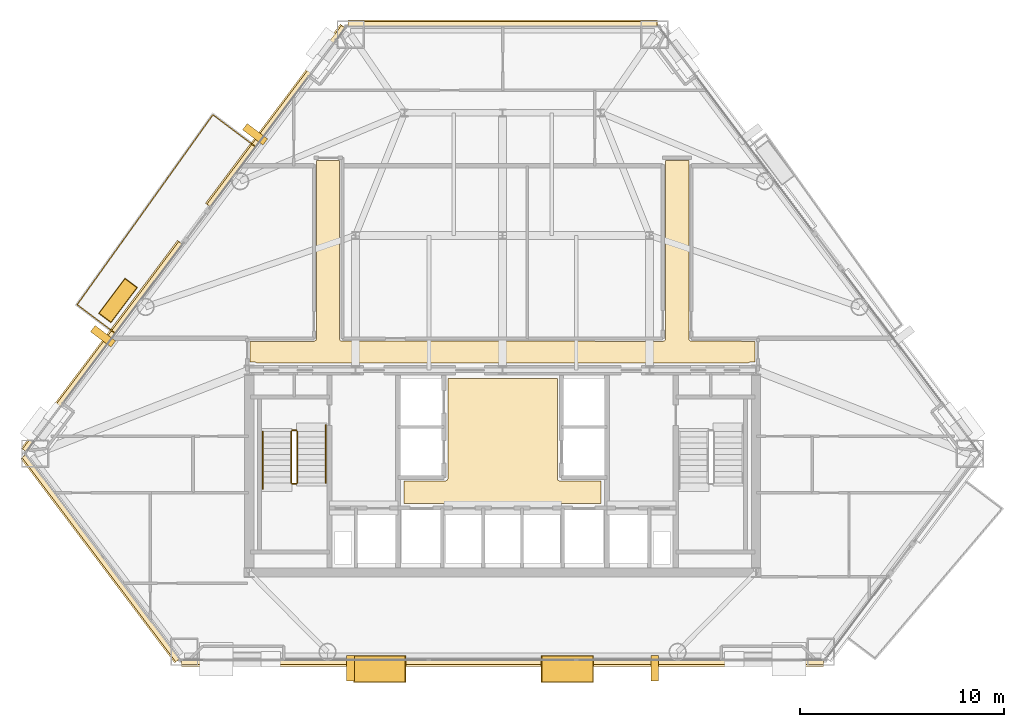
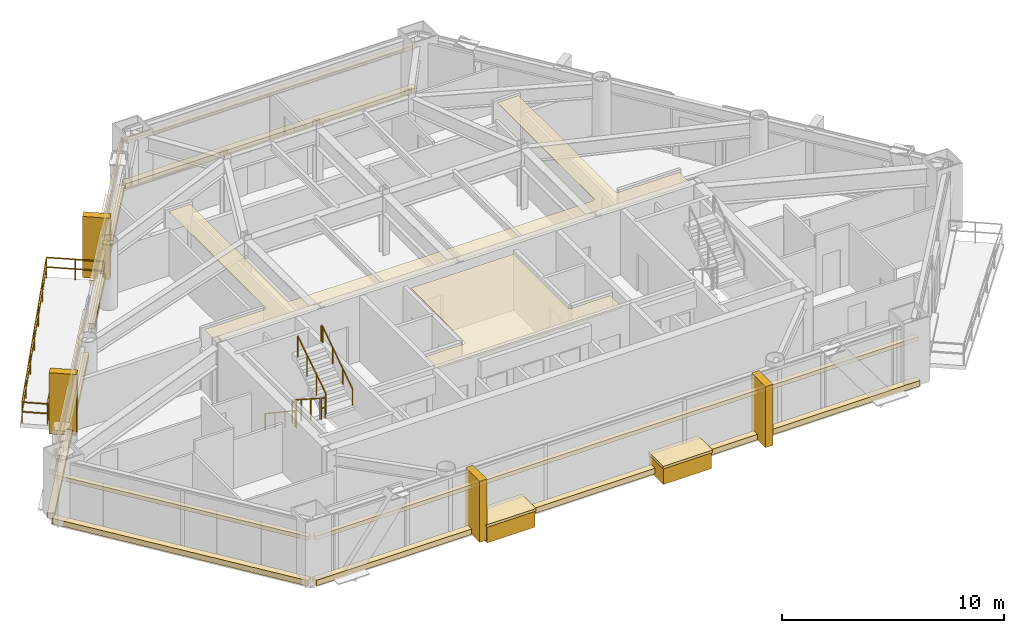
# One storey, part 13 of 14: 22 coverings, 7 railings.
"""IFC4 building model written with IfcOpenShell, lengths in metres."""

from ifc_helpers import new_model, si_unit, direction, frame, origin, origin_2d, place, context, subcontext, project, spatial, polyline, rectangle, outline, extrude, material, layer, layer_set, type_object, element, save


model = new_model("IFC4")

# Units and contexts
model_context = context("Model", 3, precision=1e-05, world=origin(), true_north=direction((0.0, 1.0)))
body_context = subcontext(model_context, "Body", "Model", "MODEL_VIEW")
ifc_project = project(units=[si_unit("LENGTHUNIT", "METRE"), si_unit("AREAUNIT", "SQUARE_METRE"), si_unit("VOLUMEUNIT", "CUBIC_METRE"), si_unit("PLANEANGLEUNIT", "RADIAN"), si_unit("MASSUNIT", "GRAM", prefix="KILO")], contexts=[model_context])

# Site, building, storey
site_placement = place(None, origin())
site = spatial("IfcSite", under=ifc_project, at=site_placement, CompositionType="ELEMENT")
building_placement = place(site_placement, origin())
building = spatial("IfcBuilding", under=site, at=building_placement, Name="Talgorran Terracotta Tower", CompositionType="ELEMENT")
storey_placement = place(building_placement, frame((0.0, 0.0, 56.699951171875)))
storey = spatial("IfcBuildingStorey", under=building, at=storey_placement, Name="L14", CompositionType="ELEMENT", Elevation=56.699951171875)

# Coverings
ifc_material_1 = material(Name="Kiln-Fired Terracotta Ochre Ceramic", Category="masonry")
ifc_layer_1 = layer(ifc_material_1, 0.179931640625, Name="COV_BAGUETTE_TERRACOTTA_SCREEN")
ifc_layer_set_1 = layer_set([ifc_layer_1], Name="Kiln-Fired Terracotta Ochre Ceramic")
covering_type_1 = type_object("IfcCoveringType", Name="COV_BAGUETTE_TERRACOTTA_SCREEN", PredefinedType="CLADDING", material=ifc_layer_set_1)
covering_1_placement = place(storey_placement, frame((-19.662353515625, -13.39892578125, 2.41015625), z_axis=(0.0, 0.0, 1.0), x_axis=(0.601438608227, -0.79891902001, 0.0)))
element("IfcCovering", 1, at=covering_1_placement, inside=storey, type_object=covering_type_1, Name="L14 Terracotta Baguette Solar Screen Assembly F0", PredefinedType="CLADDING", context=body_context, shape_type="SweptSolid", body=[
    extrude(rectangle(XDim=12.5078125, YDim=0.260009765625, at=origin_2d()), origin(), (0.0, 0.0, 1.0), 0.219970703125),
])
covering_2_placement = place(storey_placement, frame((0.0, -18.4912109375, 2.41015625), z_axis=(0.0, 0.0, 1.0), x_axis=(1.0, 0.0, 0.0)))
element("IfcCovering", 2, at=covering_2_placement, inside=storey, type_object=covering_type_1, Name="L14 Terracotta Baguette Solar Screen Assembly F1", PredefinedType="CLADDING", context=body_context, shape_type="SweptSolid", body=[
    extrude(rectangle(XDim=31.418212890625, YDim=0.260009765625, at=origin_2d()), origin(), (0.0, 0.0, 1.0), 0.219970703125),
])
covering_3_placement = place(storey_placement, frame((0.0, 12.7333984375, 2.41015625), z_axis=(0.0, 0.0, 1.0), x_axis=(-1.0, 0.0, 0.0)))
element("IfcCovering", 3, at=covering_3_placement, inside=storey, type_object=covering_type_1, Name="L14 Terracotta Baguette Solar Screen Assembly F4", PredefinedType="CLADDING", context=body_context, shape_type="SweptSolid", body=[
    extrude(rectangle(XDim=15.134521484375, YDim=0.260009765625, at=origin_2d()), origin(), (0.0, 0.0, 1.0), 0.219970703125),
])
covering_4_placement = place(storey_placement, frame((-11.076904296875, 8.230224609375, 2.41015625), z_axis=(0.0, 0.0, 1.0), x_axis=(-0.601438608227, -0.79891902001, 0.0)))
element("IfcCovering", 4, at=covering_4_placement, inside=storey, type_object=covering_type_1, Name="L14 Terracotta Baguette Solar Screen Assembly F60", PredefinedType="CLADDING", context=body_context, shape_type="SweptSolid", body=[
    extrude(rectangle(XDim=10.952880859375, YDim=0.260009765625, at=origin_2d()), origin(), (0.0, 0.0, 1.0), 0.219970703125),
])
covering_5_placement = place(storey_placement, frame((-19.576904296875, -3.060546875, 2.41015625), z_axis=(0.0, 0.0, 1.0), x_axis=(-0.601438608227, -0.79891902001, 0.0)))
element("IfcCovering", 5, at=covering_5_placement, inside=storey, type_object=covering_type_1, Name="L14 Terracotta Baguette Solar Screen Assembly F61", PredefinedType="CLADDING", context=body_context, shape_type="SweptSolid", body=[
    extrude(rectangle(XDim=12.712158203125, YDim=0.260009765625, at=origin_2d()), origin(), (0.0, 0.0, 1.0), 0.219970703125),
])
ifc_material_2 = material(Name="Mineral Fibre Acoustic Tile")
ifc_layer_2 = layer(ifc_material_2, 0.02490234375, Name="COV_CEIL_ACOUSTIC")
ifc_layer_set_2 = layer_set([ifc_layer_2], Name="Mineral Fibre Acoustic Tile")
covering_type_2 = type_object("IfcCoveringType", Name="COV_CEIL_ACOUSTIC", PredefinedType="CEILING", material=ifc_layer_set_2)
covering_6_placement = place(storey_placement, frame((0.0, 0.0, 3.22998046875)))
element("IfcCovering", 6, at=covering_6_placement, inside=storey, type_object=covering_type_2, Name="CEIL-L14-2", PredefinedType="CEILING", context=body_context, shape_type="SweptSolid", body=[
    extrude(outline(polyline([(-12.364990234375, -2.784912109375), (-9.25, -2.784912109375), (-9.23828125, -2.784423828125), (-9.226806640625, -2.78271484375), (-9.21533203125, -2.77978515625), (-9.20703125, -2.77734375), (-9.196044921875, -2.7734375), (-9.185302734375, -2.768310546875), (-9.17529296875, -2.762451171875), (-9.165771484375, -2.75537109375), (-9.156982421875, -2.74755859375), (-9.149169921875, -2.73876953125), (-9.1435546875, -2.73193359375), (-9.136474609375, -2.722412109375), (-9.13037109375, -2.71240234375), (-9.125244140625, -2.70166015625), (-9.121337890625, -2.690673828125), (-9.118408203125, -2.67919921875), (-9.11669921875, -2.66748046875), (-9.1162109375, -2.65576171875), (-9.114990234375, 6.06494140625), (-7.985107421875, 6.06494140625), (-7.985107421875, -2.64990234375), (-7.984375, -2.66162109375), (-7.982666015625, -2.67333984375), (-7.97998046875, -2.6845703125), (-7.977294921875, -2.69287109375), (-7.973388671875, -2.7041015625), (-7.968505859375, -2.714599609375), (-7.96240234375, -2.724853515625), (-7.955322265625, -2.734375), (-7.947509765625, -2.742919921875), (-7.938720703125, -2.7509765625), (-7.931884765625, -2.756591796875), (-7.922607421875, -2.763671875), (-7.912353515625, -2.769775390625), (-7.901611328125, -2.774658203125), (-7.890625, -2.77880859375), (-7.879150390625, -2.781494140625), (-7.867431640625, -2.783203125), (-7.855712890625, -2.783935546875), (7.85009765625, -2.784912109375), (7.86181640625, -2.784423828125), (7.873291015625, -2.78271484375), (7.884521484375, -2.77978515625), (7.892822265625, -2.77734375), (7.904052734375, -2.7734375), (7.914794921875, -2.768310546875), (7.9248046875, -2.762451171875), (7.934326171875, -2.75537109375), (7.943115234375, -2.74755859375), (7.950927734375, -2.73876953125), (7.95654296875, -2.73193359375), (7.963623046875, -2.722412109375), (7.9697265625, -2.71240234375), (7.974609375, -2.70166015625), (7.978759765625, -2.690673828125), (7.981689453125, -2.67919921875), (7.9833984375, -2.66748046875), (7.98388671875, -2.65576171875), (7.985107421875, 6.06494140625), (9.114990234375, 6.06494140625), (9.114990234375, -2.64990234375), (9.115478515625, -2.66162109375), (9.1171875, -2.67333984375), (9.1201171875, -2.6845703125), (9.12255859375, -2.69287109375), (9.12646484375, -2.7041015625), (9.131591796875, -2.714599609375), (9.1376953125, -2.724853515625), (9.14453125, -2.734375), (9.152587890625, -2.742919921875), (9.1611328125, -2.7509765625), (9.16796875, -2.756591796875), (9.177490234375, -2.763671875), (9.1875, -2.769775390625), (9.1982421875, -2.774658203125), (9.20947265625, -2.77880859375), (9.220703125, -2.781494140625), (9.232421875, -2.783203125), (9.244384765625, -2.783935546875), (12.364990234375, -2.784912109375), (12.364990234375, -3.80908203125), (12.1201171875, -3.80908203125), (12.108154296875, -3.8095703125), (12.0966796875, -3.811279296875), (12.085205078125, -3.814208984375), (12.07421875, -3.818115234375), (12.0634765625, -3.8232421875), (12.05322265625, -3.8291015625), (12.0439453125, -3.836181640625), (12.03515625, -3.843994140625), (12.034423828125, -3.844970703125), (7.432861328125, -3.844970703125), (6.968017578125, -3.843017578125), (6.967529296875, -3.843017578125), (0.232666015625, -3.844970703125), (-0.23193359375, -3.843017578125), (-0.232421875, -3.843017578125), (-6.96728515625, -3.844970703125), (-7.431884765625, -3.843017578125), (-7.4326171875, -3.843017578125), (-12.034423828125, -3.844970703125), (-12.03515625, -3.843994140625), (-12.0439453125, -3.836181640625), (-12.05322265625, -3.8291015625), (-12.0634765625, -3.8232421875), (-12.07421875, -3.818115234375), (-12.085205078125, -3.814208984375), (-12.0966796875, -3.811279296875), (-12.108154296875, -3.8095703125), (-12.1201171875, -3.80908203125), (-12.364990234375, -3.80908203125), (-12.364990234375, -2.784912109375)])), origin(), (0.0, 0.0, 1.0), 0.02001953125),
])
ifc_material_3 = material(Name="Flush Moisture-Resistant Plaster")
ifc_layer_3 = layer(ifc_material_3, 0.01806640625, Name="COV_CEIL_PLASTER")
ifc_layer_set_3 = layer_set([ifc_layer_3], Name="Flush Moisture-Resistant Plaster")
covering_type_3 = type_object("IfcCoveringType", Name="COV_CEIL_PLASTER", PredefinedType="CEILING", material=ifc_layer_set_3)
covering_7_placement = place(storey_placement, frame((0.0, 0.0, 3.22998046875)))
element("IfcCovering", 7, at=covering_7_placement, inside=storey, type_object=covering_type_3, Name="CEIL-L14-1", PredefinedType="CEILING", context=body_context, shape_type="SweptSolid", body=[
    extrude(outline(polyline([(-4.830078125, -9.6201171875), (-2.800048828125, -9.6201171875), (-2.7880859375, -9.619384765625), (-2.776611328125, -9.61767578125), (-2.76513671875, -9.61474609375), (-2.754150390625, -9.61083984375), (-2.743408203125, -9.605712890625), (-2.7333984375, -9.599853515625), (-2.723876953125, -9.5927734375), (-2.715087890625, -9.5849609375), (-2.707275390625, -9.576171875), (-2.7001953125, -9.566650390625), (-2.694091796875, -9.556640625), (-2.689208984375, -9.5458984375), (-2.685302734375, -9.534912109375), (-2.682373046875, -9.5234375), (-2.6806640625, -9.51171875), (-2.679931640625, -9.5), (-2.679931640625, -4.6201171875), (2.679931640625, -4.6201171875), (2.679931640625, -9.5), (2.6806640625, -9.51171875), (2.682373046875, -9.5234375), (2.685302734375, -9.534912109375), (2.689208984375, -9.5458984375), (2.694091796875, -9.556640625), (2.7001953125, -9.566650390625), (2.707275390625, -9.576171875), (2.715087890625, -9.5849609375), (2.723876953125, -9.5927734375), (2.7333984375, -9.599853515625), (2.743408203125, -9.605712890625), (2.754150390625, -9.61083984375), (2.76513671875, -9.61474609375), (2.776611328125, -9.61767578125), (2.7880859375, -9.619384765625), (2.800048828125, -9.6201171875), (4.830078125, -9.6201171875), (4.830078125, -10.72998046875), (-4.830078125, -10.72998046875), (-4.830078125, -9.6201171875)])), origin(), (0.0, 0.0, 1.0), 0.02001953125),
])
ifc_material_4 = material(Name="Honed Limestone and Terracotta Planter", Category="masonry")
ifc_layer_4 = layer(ifc_material_4, 0.1201171875, Name="COV_PLANTER_BOX")
ifc_layer_set_4 = layer_set([ifc_layer_4], Name="Honed Limestone and Terracotta Planter")
covering_type_4 = type_object("IfcCoveringType", Name="COV_PLANTER_BOX", PredefinedType="CLADDING", material=ifc_layer_set_4)
for number, where, z_axis, x_axis, name in (
    (8, (3.167724609375, -18.8310546875, -0.179931640625), (0.0, 0.0, 1.0), (1.0, 0.0, 0.0), "L14 Staggered South Facade Planter Box 1"),
    (9, (-6.018798828125, -18.8310546875, -0.179931640625), (0.0, 0.0, 1.0), (1.0, 0.0, 0.0), "L14 Staggered South Facade Planter Box 2"),
):
    element("IfcCovering", number, at=place(storey_placement, frame(where, z_axis=z_axis, x_axis=x_axis)), inside=storey, type_object=covering_type_4, Name=name, PredefinedType="CLADDING", context=body_context, shape_type="SweptSolid", body=[
        extrude(rectangle(XDim=2.5, YDim=1.25, at=origin_2d()), origin(), (0.0, 0.0, 1.0), 0.919921875),
    ])
covering_8_placement = place(storey_placement, frame((-18.828369140625, -0.785888671875, -0.02001953125), z_axis=(0.0, 0.0, 1.0), x_axis=(-0.601438608227, -0.79891902001, 0.0)))
element("IfcCovering", 10, at=covering_8_placement, inside=storey, type_object=covering_type_4, Name="L14 Staggered Balcony Planter Box BAL-NW", PredefinedType="CLADDING", context=body_context, shape_type="SweptSolid", body=[
    extrude(rectangle(XDim=2.10009765625, YDim=0.719970703125, at=origin_2d()), origin(), (0.0, 0.0, 1.0), 0.860107421875),
])
ifc_material_5 = material(Name="Kiln-Fired Terracotta Planter Rim", Category="masonry")
ifc_layer_5 = layer(ifc_material_5, 0.10009765625, Name="COV_PLANTER_RIM")
ifc_layer_set_5 = layer_set([ifc_layer_5], Name="Kiln-Fired Terracotta Planter Rim")
covering_type_5 = type_object("IfcCoveringType", Name="COV_PLANTER_RIM", PredefinedType="CLADDING", material=ifc_layer_set_5)
for number, where, z_axis, x_axis, name in (
    (11, (3.167724609375, -18.8310546875, 0.7099609375), (0.0, 0.0, 1.0), (1.0, 0.0, 0.0), "L14 South Planter Terracotta Rim 1"),
    (12, (-6.018798828125, -18.8310546875, 0.7099609375), (0.0, 0.0, 1.0), (1.0, 0.0, 0.0), "L14 South Planter Terracotta Rim 2"),
):
    element("IfcCovering", number, at=place(storey_placement, frame(where, z_axis=z_axis, x_axis=x_axis)), inside=storey, type_object=covering_type_5, Name=name, PredefinedType="CLADDING", context=body_context, shape_type="SweptSolid", body=[
        extrude(rectangle(XDim=2.580078125, YDim=1.320068359375, at=origin_2d()), origin(), (0.0, 0.0, 1.0), 0.139892578125),
    ])
covering_9_placement = place(storey_placement, frame((-18.828369140625, -0.785888671875, 0.800048828125), z_axis=(0.0, 0.0, 1.0), x_axis=(-0.601438608227, -0.79891902001, 0.0)))
element("IfcCovering", 13, at=covering_9_placement, inside=storey, type_object=covering_type_5, Name="L14 Balcony Planter Terracotta Rim BAL-NW", PredefinedType="CLADDING", context=body_context, shape_type="SweptSolid", body=[
    extrude(rectangle(XDim=2.179931640625, YDim=0.780029296875, at=origin_2d()), origin(), (0.0, 0.0, 1.0), 0.1201171875),
])
ifc_material_6 = material(Name="Honed Limestone Cladding", Category="masonry")
ifc_layer_6 = layer(ifc_material_6, 0.094970703125, Name="COV_PORTAL_LIME")
ifc_layer_set_6 = layer_set([ifc_layer_6], Name="Honed Limestone Cladding")
covering_type_6 = type_object("IfcCoveringType", Name="COV_PORTAL_LIME", PredefinedType="CLADDING", material=ifc_layer_set_6)
covering_10_placement = place(storey_placement, frame((-19.6943359375, -13.423095703125, -0.0400390625), z_axis=(0.0, 0.0, 1.0), x_axis=(0.601438608227, -0.79891902001, 0.0)))
element("IfcCovering", 14, at=covering_10_placement, inside=storey, type_object=covering_type_6, Name="L14 Striped Postmodern Portal Cladding Band F0", PredefinedType="CLADDING", context=body_context, shape_type="SweptSolid", body=[
    extrude(rectangle(XDim=12.52783203125, YDim=0.340087890625, at=origin_2d()), origin(), (0.0, 0.0, 1.0), 0.300048828125),
])
covering_11_placement = place(storey_placement, frame((0.0, -18.531005859375, -0.0400390625), z_axis=(0.0, 0.0, 1.0), x_axis=(1.0, 0.0, 0.0)))
element("IfcCovering", 15, at=covering_11_placement, inside=storey, type_object=covering_type_6, Name="L14 Striped Postmodern Portal Cladding Band F1", PredefinedType="CLADDING", context=body_context, shape_type="SweptSolid", body=[
    extrude(rectangle(XDim=31.438232421875, YDim=0.340087890625, at=origin_2d()), origin(), (0.0, 0.0, 1.0), 0.300048828125),
])
covering_12_placement = place(storey_placement, frame((0.0, 12.773193359375, -0.0400390625), z_axis=(0.0, 0.0, 1.0), x_axis=(-1.0, 0.0, 0.0)))
element("IfcCovering", 16, at=covering_12_placement, inside=storey, type_object=covering_type_6, Name="L14 Striped Postmodern Portal Cladding Band F4", PredefinedType="CLADDING", context=body_context, shape_type="SweptSolid", body=[
    extrude(rectangle(XDim=15.154296875, YDim=0.340087890625, at=origin_2d()), origin(), (0.0, 0.0, 1.0), 0.300048828125),
])
covering_13_placement = place(storey_placement, frame((-11.10888671875, 8.25439453125, -0.0400390625), z_axis=(0.0, 0.0, 1.0), x_axis=(-0.601438608227, -0.79891902001, 0.0)))
element("IfcCovering", 17, at=covering_13_placement, inside=storey, type_object=covering_type_6, Name="L14 Striped Postmodern Portal Cladding Band F60", PredefinedType="CLADDING", context=body_context, shape_type="SweptSolid", body=[
    extrude(rectangle(XDim=10.972900390625, YDim=0.340087890625, at=origin_2d()), origin(), (0.0, 0.0, 1.0), 0.300048828125),
])
covering_14_placement = place(storey_placement, frame((-19.60888671875, -3.036376953125, -0.0400390625), z_axis=(0.0, 0.0, 1.0), x_axis=(-0.601438608227, -0.79891902001, 0.0)))
element("IfcCovering", 18, at=covering_14_placement, inside=storey, type_object=covering_type_6, Name="L14 Striped Postmodern Portal Cladding Band F61", PredefinedType="CLADDING", context=body_context, shape_type="SweptSolid", body=[
    extrude(rectangle(XDim=12.732177734375, YDim=0.340087890625, at=origin_2d()), origin(), (0.0, 0.0, 1.0), 0.300048828125),
])
for number, where, z_axis, x_axis, name in (
    (19, (7.4443359375, -18.791015625, -0.050048828125), (0.0, 0.0, 1.0), (1.0, 0.0, 0.0), "L14 White Striped Portal Fin F1-2"),
    (20, (-19.5625, -2.54248046875, -0.050048828125), (0.0, 0.0, 1.0), (-0.601438608227, -0.79891902001, 0.0), "L14 White Striped Portal Fin F5-2"),
):
    element("IfcCovering", number, at=place(storey_placement, frame(where, z_axis=z_axis, x_axis=x_axis)), inside=storey, type_object=covering_type_6, Name=name, PredefinedType="CLADDING", context=body_context, shape_type="SweptSolid", body=[
        extrude(rectangle(XDim=0.3798828125, YDim=1.25, at=origin_2d()), origin(), (0.0, 0.0, 1.0), 3.3701171875),
    ])
ifc_material_7 = material(Name="Kiln-Fired Terracotta Cladding", Category="masonry")
ifc_layer_7 = layer(ifc_material_7, 0.090087890625, Name="COV_PORTAL_TERRA")
ifc_layer_set_7 = layer_set([ifc_layer_7], Name="Kiln-Fired Terracotta Cladding")
covering_type_7 = type_object("IfcCoveringType", Name="COV_PORTAL_TERRA", PredefinedType="CLADDING", material=ifc_layer_set_7)
for number, where, z_axis, x_axis, name in (
    (21, (-7.4443359375, -18.791015625, -0.050048828125), (0.0, 0.0, 1.0), (1.0, 0.0, 0.0), "L14 Terracotta Striped Portal Fin F1-1"),
    (22, (-12.1181640625, 7.34619140625, -0.050048828125), (0.0, 0.0, 1.0), (-0.601438608227, -0.79891902001, 0.0), "L14 Terracotta Striped Portal Fin F5-1"),
):
    element("IfcCovering", number, at=place(storey_placement, frame(where, z_axis=z_axis, x_axis=x_axis)), inside=storey, type_object=covering_type_7, Name=name, PredefinedType="CLADDING", context=body_context, shape_type="SweptSolid", body=[
        extrude(rectangle(XDim=0.3798828125, YDim=1.25, at=origin_2d()), origin(), (0.0, 0.0, 1.0), 3.3701171875),
    ])

# Railings
ifc_material_8 = material(Name="Laminated Glass and Stainless Steel 316", Category="steel")
railing_type_1 = type_object("IfcRailingType", Name="RL_BALCONY_1150", PredefinedType="BALUSTRADE", material=ifc_material_8)
railing_1_placement = place(storey_placement, frame((-12.100341796875, 6.738037109375, 0.0)))
element("IfcRailing", 23, at=railing_1_placement, inside=storey, type_object=railing_type_1, Name="RL-L14-BAL-BAL-NW", PredefinedType="BALUSTRADE", context=body_context, shape_type="SweptSolid", body=[
    extrude(rectangle(XDim=0.048095703125, YDim=0.048095703125, at=origin_2d()), frame((0.0, 0.0, 1.1259765625), z_axis=(-0.798907852386, 0.601453442418, 0.0), x_axis=(-0.601453442418, -0.798907852386, 0.0)), (0.0, 0.0, 1.0), 2.605224609375),
    extrude(rectangle(XDim=0.048095703125, YDim=0.048095703125, at=origin_2d()), frame((0.0, 0.0, 0.597900390625), z_axis=(-0.798907852386, 0.601453442418, 0.0), x_axis=(-0.601453442418, -0.798907852386, 0.0)), (0.0, 0.0, 1.0), 2.605224609375),
    extrude(rectangle(XDim=0.048095703125, YDim=0.048095703125, at=origin_2d()), frame((-2.081298828125, 1.56689453125, 1.1259765625), z_axis=(-0.581484646418, -0.81355737719, 0.0), x_axis=(0.81355737719, -0.581484646418, 0.0)), (0.0, 0.0, 1.0), 11.43115234375),
    extrude(rectangle(XDim=0.048095703125, YDim=0.048095703125, at=origin_2d()), frame((-2.081298828125, 1.56689453125, 0.597900390625), z_axis=(-0.581484646418, -0.81355737719, 0.0), x_axis=(0.81355737719, -0.581484646418, 0.0)), (0.0, 0.0, 1.0), 11.43115234375),
    extrude(rectangle(XDim=0.048095703125, YDim=0.048095703125, at=origin_2d()), frame((-8.728271484375, -7.73291015625, 1.1259765625), z_axis=(0.798939106837, -0.601411925028, 0.0), x_axis=(0.601411925028, 0.798939106837, 0.0)), (0.0, 0.0, 1.0), 2.322509765625),
    extrude(rectangle(XDim=0.048095703125, YDim=0.048095703125, at=origin_2d()), frame((-8.728271484375, -7.73291015625, 0.597900390625), z_axis=(0.798939106837, -0.601411925028, 0.0), x_axis=(0.601411925028, 0.798939106837, 0.0)), (0.0, 0.0, 1.0), 2.322509765625),
    extrude(rectangle(XDim=0.0419921875, YDim=0.0419921875, at=origin_2d()), origin(), (0.0, 0.0, 1.0), 1.101806640625),
    extrude(rectangle(XDim=0.0419921875, YDim=0.0419921875, at=origin_2d()), frame((-1.04052734375, 0.783447265625, 0.0)), (0.0, 0.0, 1.0), 1.101806640625),
    extrude(rectangle(XDim=0.0419921875, YDim=0.0419921875, at=origin_2d()), frame((-2.081298828125, 1.56689453125, 0.0)), (0.0, 0.0, 1.0), 1.101806640625),
    extrude(rectangle(XDim=0.0419921875, YDim=0.0419921875, at=origin_2d()), frame((-3.189208984375, 0.016845703125, 0.0)), (0.0, 0.0, 1.0), 1.101806640625),
    extrude(rectangle(XDim=0.0419921875, YDim=0.0419921875, at=origin_2d()), frame((-4.296875, -1.532958984375, 0.0)), (0.0, 0.0, 1.0), 1.101806640625),
    extrude(rectangle(XDim=0.0419921875, YDim=0.0419921875, at=origin_2d()), frame((-5.40478515625, -3.0830078125, 0.0)), (0.0, 0.0, 1.0), 1.101806640625),
    extrude(rectangle(XDim=0.0419921875, YDim=0.0419921875, at=origin_2d()), frame((-6.5126953125, -4.633056640625, 0.0)), (0.0, 0.0, 1.0), 1.101806640625),
    extrude(rectangle(XDim=0.0419921875, YDim=0.0419921875, at=origin_2d()), frame((-7.620361328125, -6.182861328125, 0.0)), (0.0, 0.0, 1.0), 1.101806640625),
    extrude(rectangle(XDim=0.0419921875, YDim=0.0419921875, at=origin_2d()), frame((-8.728271484375, -7.73291015625, 0.0)), (0.0, 0.0, 1.0), 1.101806640625),
    extrude(rectangle(XDim=0.0419921875, YDim=0.0419921875, at=origin_2d()), frame((-7.800537109375, -8.43115234375, 0.0)), (0.0, 0.0, 1.0), 1.101806640625),
    extrude(rectangle(XDim=0.0419921875, YDim=0.0419921875, at=origin_2d()), frame((-6.872802734375, -9.129638671875, 0.0)), (0.0, 0.0, 1.0), 1.101806640625),
])
ifc_material_9 = material(Name="Steel S355 (300PLUS)", Category="steel")
railing_type_2 = type_object("IfcRailingType", Name="RL_HANDRAIL_920", PredefinedType="HANDRAIL", material=ifc_material_9)
railing_2_placement = place(storey_placement, frame((-11.75, -7.199951171875, 0.179931640625)))
element("IfcRailing", 24, at=railing_2_placement, inside=storey, type_object=railing_type_2, Name="L14 ST-01 stair handrail 1", PredefinedType="HANDRAIL", context=body_context, shape_type="SweptSolid", body=[
    extrude(rectangle(XDim=0.048095703125, YDim=0.048095703125, at=origin_2d()), frame((0.0, 0.0, 0.89599609375), z_axis=(0.0, -0.832038719335, 0.554717558338), x_axis=(1.0, 0.0, 0.0)), (0.0, 0.0, 1.0), 3.244873046875),
    extrude(rectangle(XDim=0.048095703125, YDim=0.048095703125, at=origin_2d()), frame((0.0, -2.699951171875, 2.69580078125), z_axis=(0.0, -1.0, 0.0), x_axis=(1.0, 0.0, 0.0)), (0.0, 0.0, 1.0), 0.1201171875),
    extrude(rectangle(XDim=0.0419921875, YDim=0.0419921875, at=origin_2d()), origin(), (0.0, 0.0, 1.0), 0.871826171875),
    extrude(rectangle(XDim=0.0419921875, YDim=0.0419921875, at=origin_2d()), frame((0.0, -0.89990234375, 0.60009765625)), (0.0, 0.0, 1.0), 0.871826171875),
    extrude(rectangle(XDim=0.0419921875, YDim=0.0419921875, at=origin_2d()), frame((0.0, -1.800048828125, 1.199951171875)), (0.0, 0.0, 1.0), 0.871826171875),
    extrude(rectangle(XDim=0.0419921875, YDim=0.0419921875, at=origin_2d()), frame((0.0, -2.699951171875, 1.800048828125)), (0.0, 0.0, 1.0), 0.871826171875),
    extrude(rectangle(XDim=0.0419921875, YDim=0.0419921875, at=origin_2d()), frame((0.0, -2.820068359375, 1.800048828125)), (0.0, 0.0, 1.0), 0.871826171875),
])
railing_3_placement = place(storey_placement, frame((-8.64990234375, -9.719970703125, 1.97998046875)))
element("IfcRailing", 25, at=railing_3_placement, inside=storey, type_object=railing_type_2, Name="L14 ST-01 stair handrail 2", PredefinedType="HANDRAIL", context=body_context, shape_type="SweptSolid", body=[
    extrude(rectangle(XDim=0.048095703125, YDim=0.048095703125, at=origin_2d()), frame((0.0, 0.0, 0.89599609375), z_axis=(0.0, 0.832038719335, 0.554717558338), x_axis=(-1.0, 0.0, 0.0)), (0.0, 0.0, 1.0), 3.244873046875),
    extrude(rectangle(XDim=0.048095703125, YDim=0.048095703125, at=origin_2d()), frame((0.0, 2.699951171875, 2.69580078125), z_axis=(0.0, 1.0, 0.0), x_axis=(-1.0, 0.0, 0.0)), (0.0, 0.0, 1.0), 0.1201171875),
    extrude(rectangle(XDim=0.0419921875, YDim=0.0419921875, at=origin_2d()), origin(), (0.0, 0.0, 1.0), 0.871826171875),
    extrude(rectangle(XDim=0.0419921875, YDim=0.0419921875, at=origin_2d()), frame((0.0, 0.89990234375, 0.60009765625)), (0.0, 0.0, 1.0), 0.871826171875),
    extrude(rectangle(XDim=0.0419921875, YDim=0.0419921875, at=origin_2d()), frame((0.0, 1.800048828125, 1.199951171875)), (0.0, 0.0, 1.0), 0.871826171875),
    extrude(rectangle(XDim=0.0419921875, YDim=0.0419921875, at=origin_2d()), frame((0.0, 2.699951171875, 1.800048828125)), (0.0, 0.0, 1.0), 0.871826171875),
    extrude(rectangle(XDim=0.0419921875, YDim=0.0419921875, at=origin_2d()), frame((0.0, 2.820068359375, 1.800048828125)), (0.0, 0.0, 1.0), 0.871826171875),
])
railing_type_3 = type_object("IfcRailingType", Name="RL_STAIR_GUARD", PredefinedType="GUARDRAIL", material=ifc_material_9)
railing_4_placement = place(storey_placement, frame((-10.35009765625, -7.199951171875, 0.179931640625)))
element("IfcRailing", 26, at=railing_4_placement, inside=storey, type_object=railing_type_3, Name="L14 ST-01 stair guard 1", PredefinedType="GUARDRAIL", context=body_context, shape_type="SweptSolid", body=[
    extrude(rectangle(XDim=0.048095703125, YDim=0.048095703125, at=origin_2d()), frame((0.0, 0.0, 1.15576171875), z_axis=(0.0, -0.841162588446, 0.540782303519), x_axis=(1.0, 0.0, 0.0)), (0.0, 0.0, 1.0), 2.995849609375),
    extrude(rectangle(XDim=0.0419921875, YDim=0.0419921875, at=origin_2d()), origin(), (0.0, 0.0, 1.0), 1.1318359375),
    extrude(rectangle(XDim=0.0419921875, YDim=0.0419921875, at=origin_2d()), frame((0.0, -0.840087890625, 0.5400390625)), (0.0, 0.0, 1.0), 1.1318359375),
    extrude(rectangle(XDim=0.0419921875, YDim=0.0419921875, at=origin_2d()), frame((0.0, -1.679931640625, 1.080078125)), (0.0, 0.0, 1.0), 1.1318359375),
    extrude(rectangle(XDim=0.0419921875, YDim=0.0419921875, at=origin_2d()), frame((0.0, -2.52001953125, 1.6201171875)), (0.0, 0.0, 1.0), 1.1318359375),
])
railing_5_placement = place(storey_placement, frame((-10.300048828125, -9.77001953125, 1.800048828125)))
element("IfcRailing", 27, at=railing_5_placement, inside=storey, type_object=railing_type_3, Name="L14 ST-01 stair guard 2", PredefinedType="GUARDRAIL", context=body_context, shape_type="SweptSolid", body=[
    extrude(rectangle(XDim=0.048095703125, YDim=0.048095703125, at=origin_2d()), frame((0.0, 0.0, 1.15576171875), z_axis=(1.0, 0.0, 0.0), x_axis=(0.0, 1.0, 0.0)), (0.0, 0.0, 1.0), 0.199951171875),
    extrude(rectangle(XDim=0.048095703125, YDim=0.048095703125, at=origin_2d()), frame((0.0, 0.0, 0.613525390625), z_axis=(1.0, 0.0, 0.0), x_axis=(0.0, 1.0, 0.0)), (0.0, 0.0, 1.0), 0.199951171875),
    extrude(rectangle(XDim=0.0419921875, YDim=0.0419921875, at=origin_2d()), origin(), (0.0, 0.0, 1.0), 1.1318359375),
    extrude(rectangle(XDim=0.0419921875, YDim=0.0419921875, at=origin_2d()), frame((0.199951171875, 0.0, 0.0)), (0.0, 0.0, 1.0), 1.1318359375),
])
railing_6_placement = place(storey_placement, frame((-10.050048828125, -9.719970703125, 1.97998046875)))
element("IfcRailing", 28, at=railing_6_placement, inside=storey, type_object=railing_type_3, Name="L14 ST-01 stair guard 3", PredefinedType="GUARDRAIL", context=body_context, shape_type="SweptSolid", body=[
    extrude(rectangle(XDim=0.048095703125, YDim=0.048095703125, at=origin_2d()), frame((0.0, 0.0, 1.15576171875), z_axis=(0.0, 0.841162588446, 0.540782303519), x_axis=(-1.0, 0.0, 0.0)), (0.0, 0.0, 1.0), 2.995849609375),
    extrude(rectangle(XDim=0.0419921875, YDim=0.0419921875, at=origin_2d()), origin(), (0.0, 0.0, 1.0), 1.1318359375),
    extrude(rectangle(XDim=0.0419921875, YDim=0.0419921875, at=origin_2d()), frame((0.0, 0.840087890625, 0.5400390625)), (0.0, 0.0, 1.0), 1.1318359375),
    extrude(rectangle(XDim=0.0419921875, YDim=0.0419921875, at=origin_2d()), frame((0.0, 1.679931640625, 1.080078125)), (0.0, 0.0, 1.0), 1.1318359375),
    extrude(rectangle(XDim=0.0419921875, YDim=0.0419921875, at=origin_2d()), frame((0.0, 2.52001953125, 1.6201171875)), (0.0, 0.0, 1.0), 1.1318359375),
])
railing_7_placement = place(storey_placement, frame((-10.300048828125, -7.14990234375, 0.0)))
element("IfcRailing", 29, at=railing_7_placement, inside=storey, type_object=railing_type_3, Name="L14 ST-01 stair guard 4", PredefinedType="GUARDRAIL", context=body_context, shape_type="SweptSolid", body=[
    extrude(rectangle(XDim=0.048095703125, YDim=0.048095703125, at=origin_2d()), frame((0.0, 0.0, 1.15576171875), z_axis=(1.0, 0.0, 0.0), x_axis=(0.0, 1.0, 0.0)), (0.0, 0.0, 1.0), 0.199951171875),
    extrude(rectangle(XDim=0.048095703125, YDim=0.048095703125, at=origin_2d()), frame((0.0, 0.0, 0.613525390625), z_axis=(1.0, 0.0, 0.0), x_axis=(0.0, 1.0, 0.0)), (0.0, 0.0, 1.0), 0.199951171875),
    extrude(rectangle(XDim=0.0419921875, YDim=0.0419921875, at=origin_2d()), origin(), (0.0, 0.0, 1.0), 1.1318359375),
    extrude(rectangle(XDim=0.0419921875, YDim=0.0419921875, at=origin_2d()), frame((0.199951171875, 0.0, 0.0)), (0.0, 0.0, 1.0), 1.1318359375),
])

save(model, "model.ifc")
